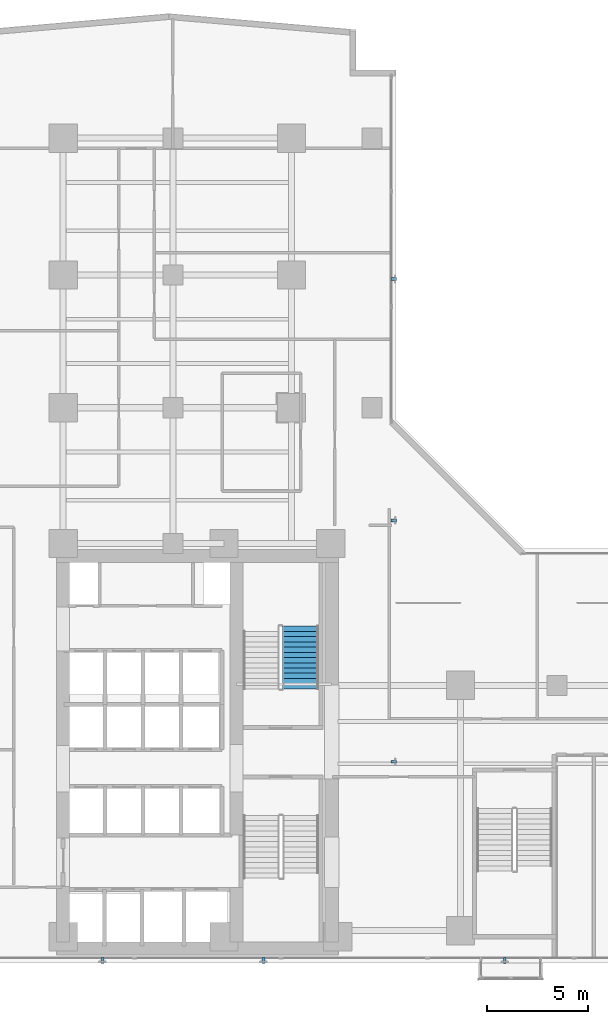
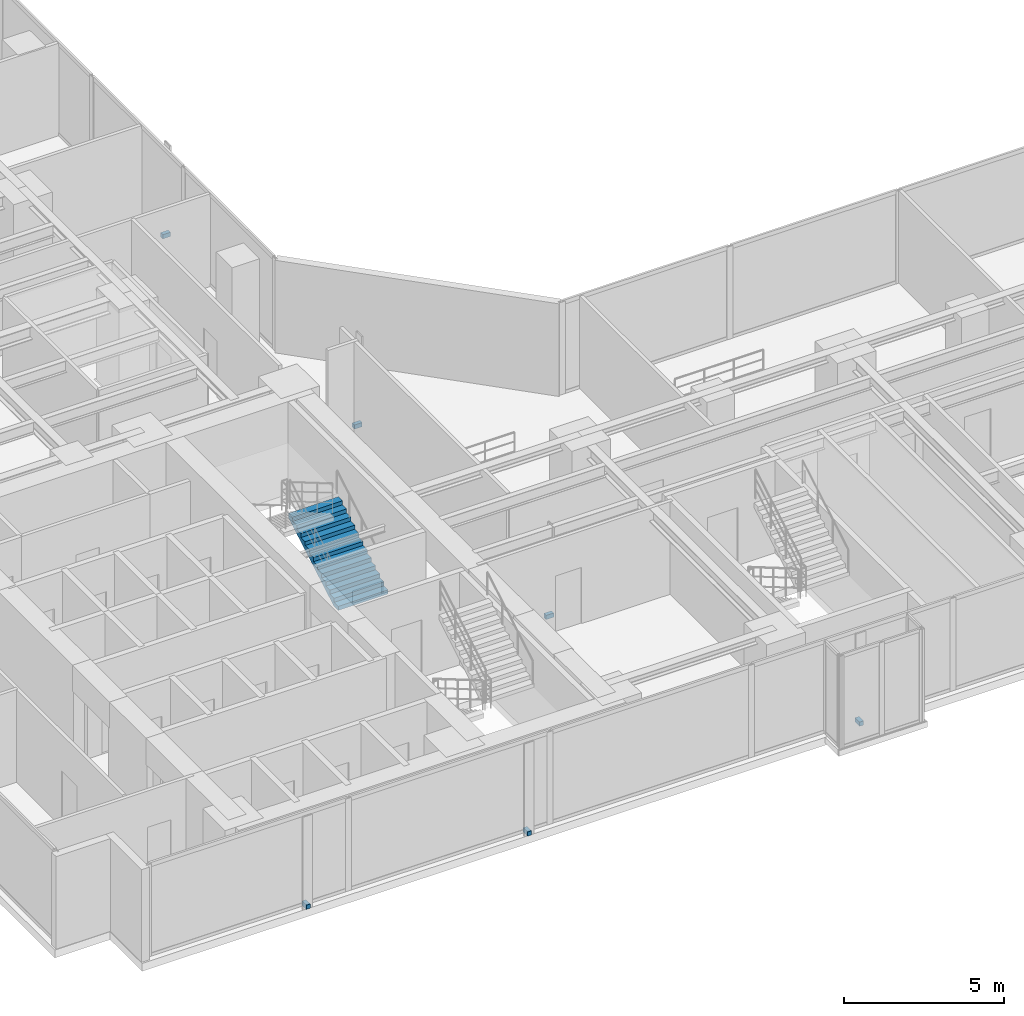
# One storey, part 22 of 26: 6 discrete accessories, 1 stair flight, 1 element without a shape of its own.
"""IFC4 building model written with IfcOpenShell, lengths in metres."""

from ifc_helpers import new_model, si_unit, direction, frame, origin, origin_with_axes, origin_2d, place, context, subcontext, project, spatial, polyline, rectangle, outline, extrude, source, transform, mapped, material, type_object, element, aggregate, save


model = new_model("IFC4")

# Units and contexts
model_context = context("Model", 3, precision=1e-05, world=origin(), true_north=direction((0.0, 1.0)))
body_context = subcontext(model_context, "Body", "Model", "MODEL_VIEW")
ifc_project = project(units=[si_unit("LENGTHUNIT", "METRE"), si_unit("AREAUNIT", "SQUARE_METRE"), si_unit("VOLUMEUNIT", "CUBIC_METRE"), si_unit("PLANEANGLEUNIT", "RADIAN"), si_unit("MASSUNIT", "GRAM", prefix="KILO")], contexts=[model_context])

# Site, building, storey
site_placement = place(None, origin())
site = spatial("IfcSite", under=ifc_project, at=site_placement, CompositionType="ELEMENT")
building_placement = place(site_placement, origin())
building = spatial("IfcBuilding", under=site, at=building_placement, Name="Kolvaren Waterfront Exchange", CompositionType="ELEMENT")
storey_placement = place(building_placement, frame((0.0, 0.0, 110.699951171875)))
storey = spatial("IfcBuildingStorey", under=building, at=storey_placement, Name="L28", CompositionType="ELEMENT", Elevation=110.699951171875)

# Stair, stair flight
ifc_material_1 = material(Name="Concrete C40/50", Category="concrete")
stair_type = type_object("IfcStairType", Name="ARC-STAIR-3800", PredefinedType="HALF_TURN_STAIR", material=ifc_material_1)
stair_placement = place(storey_placement, origin())
stair = element("IfcStair", 1, at=stair_placement, inside=storey, type_object=stair_type, Name="L28 Smoke-proof exit stair ST2", PredefinedType="HALF_TURN_STAIR")
stair_flight_type = type_object("IfcStairFlightType", Name="ARC-FLIGHT-3800", PredefinedType="STRAIGHT", material=ifc_material_1)
stair_flight_placement = place(storey_placement, frame((19.260009765625, 17.219970703125, 0.0), z_axis=(0.0, 0.0, 1.0), x_axis=(0.0, 1.0, 0.0)))
stair_flight = element("IfcStairFlight", 2, at=stair_flight_placement, type_object=stair_flight_type, Name="ST2 flight 1", NumberOfRisers=13, NumberOfTreads=12, PredefinedType="STRAIGHT", RiserHeight=0.152, TreadLength=0.26, context=body_context, shape_type="SweptSolid", body=[
    extrude(outline(polyline([(0.0, 0.0), (0.0, 0.152099609375), (0.260009765625, 0.152099609375), (0.260009765625, 0.303955078125), (0.52001953125, 0.303955078125), (0.52001953125, 0.4560546875), (0.780029296875, 0.4560546875), (0.780029296875, 0.60791015625), (1.0400390625, 0.60791015625), (1.0400390625, 0.760009765625), (1.300048828125, 0.760009765625), (1.300048828125, 0.912109375), (1.56005859375, 0.912109375), (1.56005859375, 1.06396484375), (1.820068359375, 1.06396484375), (1.820068359375, 1.216064453125), (2.080078125, 1.216064453125), (2.080078125, 1.367919921875), (2.340087890625, 1.367919921875), (2.340087890625, 1.52001953125), (2.60009765625, 1.52001953125), (2.60009765625, 1.672119140625), (2.860107421875, 1.672119140625), (2.860107421875, 1.823974609375), (3.1201171875, 1.823974609375), (3.1201171875, 1.97607421875), (3.1201171875, 1.650390625), (0.297119140625, 0.0), (0.0, 0.0)])), frame((0.0, 0.89990234375, 0.0), z_axis=(0.0, -1.0, 0.0), x_axis=(1.0, 0.0, 0.0)), (0.0, 0.0, 1.0), 1.800048828125),
])
aggregate(stair, [stair_flight])

# Discrete accessories
ifc_material_2 = material(Name="Stainless steel 316", Category="steel")
discrete_accessory_type = type_object("IfcDiscreteAccessoryType", Name="ARC-BRK-FIN", PredefinedType="BRACKET", material=ifc_material_2)
shared_shape = source(origin_with_axes(), body_context, "Body", "SweptSolid", [
    extrude(rectangle(XDim=0.280029296875, YDim=0.139892578125, at=origin_2d()), origin(), (0.0, 0.0, 1.0), 0.159912109375),
])
for number, where, z_axis, x_axis, name in (
    (3, (9.39990234375, 3.719970703125, 0.0), (0.0, 0.0, 1.0), (0.0, -1.0, 0.0), "L28 bronze fin anchor bracket FIN-L28-S1"),
    (4, (17.39990234375, 3.719970703125, 0.0), (0.0, 0.0, 1.0), (0.0, -1.0, 0.0), "L28 bronze fin anchor bracket FIN-L28-S2"),
    (5, (29.39990234375, 3.719970703125, 0.0), (0.0, 0.0, 1.0), (0.0, -1.0, 0.0), "L28 bronze fin anchor bracket FIN-L28-S3"),
    (6, (23.8798828125, 13.60009765625, 0.0), (0.0, 0.0, 1.0), (1.0, 0.0, 0.0), "L28 bronze fin anchor bracket FIN-L28-E1"),
    (7, (23.8798828125, 25.60009765625, 0.0), (0.0, 0.0, 1.0), (1.0, 0.0, 0.0), "L28 bronze fin anchor bracket FIN-L28-E2"),
    (8, (23.8798828125, 37.60009765625, 0.0), (0.0, 0.0, 1.0), (1.0, 0.0, 0.0), "L28 bronze fin anchor bracket FIN-L28-E3"),
):
    element("IfcDiscreteAccessory", number, at=place(storey_placement, frame(where, z_axis=z_axis, x_axis=x_axis)), inside=storey, type_object=discrete_accessory_type, Name=name, PredefinedType="BRACKET", context=body_context, shape_type="MappedRepresentation", body=[
        mapped(shared_shape, transform((0.0, 0.0, 0.0), x_axis=(1.0, 0.0, 0.0), y_axis=(0.0, 1.0, 0.0), z_axis=(0.0, 0.0, 1.0), scale=1.0)),
    ])

save(model, "model.ifc")
